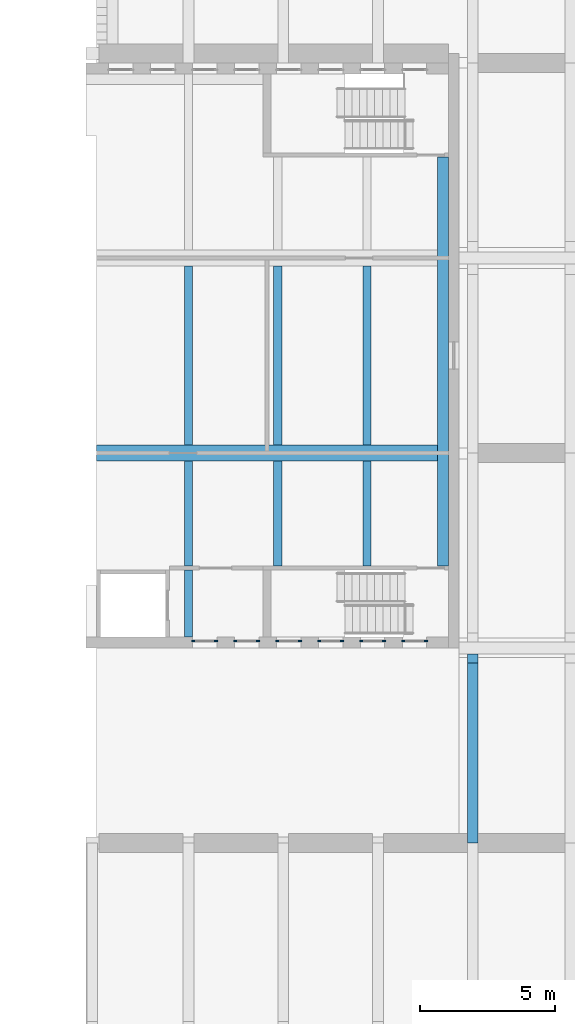
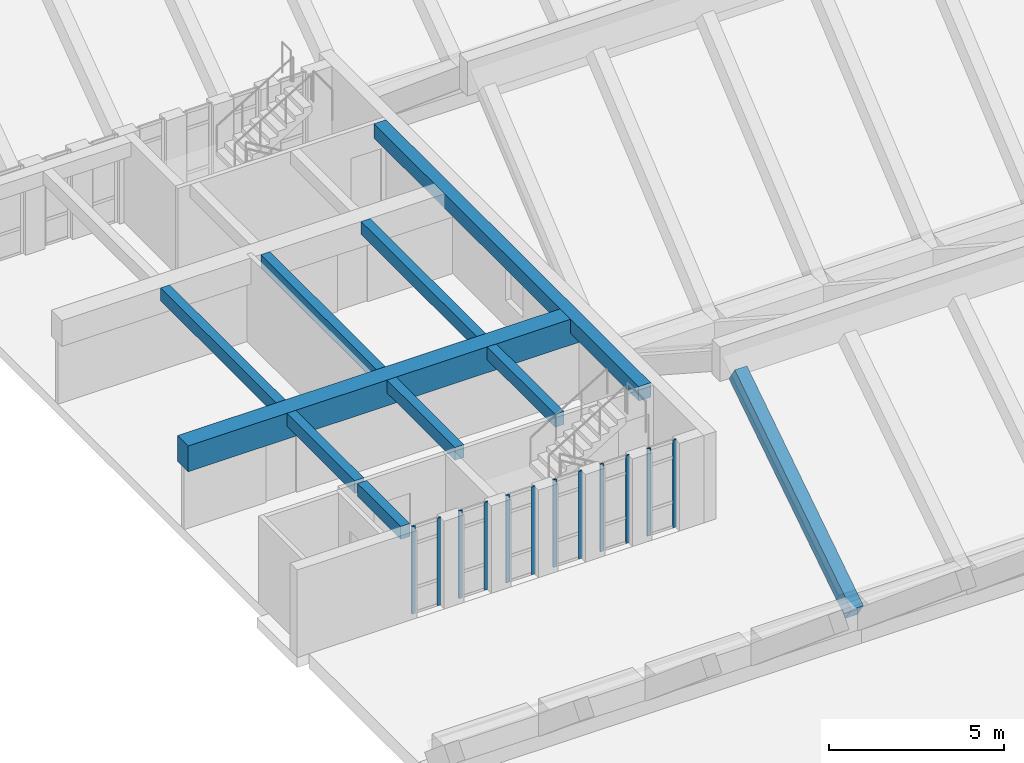
# One storey, part 5 of 31: 12 members, 10 beams, 6 elements without a shape of their own.
"""IFC4 building model written with IfcOpenShell, lengths in metres."""

from ifc_helpers import new_model, si_unit, direction, frame, origin, origin_2d, place, context, subcontext, project, spatial, rectangle, extrude, material, material_profile, profile_set, type_object, element, aggregate, save


model = new_model("IFC4")

# Units and contexts
model_context = context("Model", 3, precision=1e-05, world=origin(), true_north=direction((0.0, 1.0)))
body_context = subcontext(model_context, "Body", "Model", "MODEL_VIEW")
ifc_project = project(units=[si_unit("LENGTHUNIT", "METRE"), si_unit("AREAUNIT", "SQUARE_METRE"), si_unit("VOLUMEUNIT", "CUBIC_METRE"), si_unit("PLANEANGLEUNIT", "RADIAN"), si_unit("MASSUNIT", "GRAM", prefix="KILO")], contexts=[model_context])

# Site, building, storey
site_placement = place(None, origin())
site = spatial("IfcSite", under=ifc_project, at=site_placement, CompositionType="ELEMENT")
building_placement = place(site_placement, origin())
building = spatial("IfcBuilding", under=site, at=building_placement, Name="Vermilion Court Aquatics Centre", CompositionType="ELEMENT")
storey_placement = place(building_placement, frame((0.0, 0.0, 16.5)))
storey = spatial("IfcBuildingStorey", under=building, at=storey_placement, Name="L03", CompositionType="ELEMENT", Elevation=16.5)

# Beams
ifc_material_1 = material(Name="Concrete 8000 psi", Category="concrete")
ifc_material_profile_1 = material_profile(ifc_material_1, rectangle(XDim=0.39990234375, YDim=0.5, at=origin_2d()), Name="RC 400x500")
ifc_profile_set_1 = profile_set([ifc_material_profile_1], Name="Concrete 8000 psi")
beam_type_1 = type_object("IfcBeamType", Name="Diving Tower diaphragm chord beam RC 400x500", PredefinedType="BEAM", material=ifc_profile_set_1)
beam_1_placement = place(storey_placement, frame((157.300048828125, 39.02490234375, 2.800048828125), z_axis=(0.0, 1.0, 0.0), x_axis=(-1.0, 0.0, 0.0)))
element("IfcBeam", 1, at=beam_1_placement, inside=storey, type_object=beam_type_1, Name="Diving Tower diaphragm chord beam E L04", PredefinedType="BEAM", context=body_context, shape_type="SweptSolid", body=[
    extrude(rectangle(XDim=0.39990234375, YDim=0.5, at=origin_2d()), origin(), (0.0, 0.0, 1.0), 15.10009765625),
])
ifc_material_2 = material(Name="Concrete 8000 psi", Category="concrete")
ifc_material_profile_2 = material_profile(ifc_material_2, rectangle(XDim=0.300048828125, YDim=0.449951171875, at=origin_2d()), Name="RC 300x450")
ifc_profile_set_2 = profile_set([ifc_material_profile_2], Name="Concrete 8000 psi")
beam_type_2 = type_object("IfcBeamType", Name="Diving Tower floor joist RC 300x450", PredefinedType="JOIST", material=ifc_profile_set_2)
beam_2_placement = place(storey_placement, frame((147.89990234375, 36.39990234375, 2.824951171875), z_axis=(0.0, 1.0, 0.0), x_axis=(-1.0, 0.0, 0.0)))
element("IfcBeam", 2, at=beam_2_placement, inside=storey, type_object=beam_type_2, Name="Diving Tower floor joist x147.9 1 L04", PredefinedType="JOIST", context=body_context, shape_type="SweptSolid", body=[
    extrude(rectangle(XDim=0.300048828125, YDim=0.449951171875, at=origin_2d()), origin(), (0.0, 0.0, 1.0), 2.47509765625),
])
beam_3_placement = place(storey_placement, frame((147.89990234375, 39.02490234375, 2.824951171875), z_axis=(0.0, 1.0, 0.0), x_axis=(-1.0, 0.0, 0.0)))
element("IfcBeam", 3, at=beam_3_placement, inside=storey, type_object=beam_type_2, Name="Diving Tower floor joist x147.9 2 L04", PredefinedType="JOIST", context=body_context, shape_type="SweptSolid", body=[
    extrude(rectangle(XDim=0.300048828125, YDim=0.449951171875, at=origin_2d()), origin(), (0.0, 0.0, 1.0), 3.875),
])
beam_4_placement = place(storey_placement, frame((147.89990234375, 43.5, 2.824951171875), z_axis=(0.0, 1.0, 0.0), x_axis=(-1.0, 0.0, 0.0)))
element("IfcBeam", 4, at=beam_4_placement, inside=storey, type_object=beam_type_2, Name="Diving Tower floor joist x147.9 3 L04", PredefinedType="JOIST", context=body_context, shape_type="SweptSolid", body=[
    extrude(rectangle(XDim=0.300048828125, YDim=0.449951171875, at=origin_2d()), origin(), (0.0, 0.0, 1.0), 6.60009765625),
])
beam_5_placement = place(storey_placement, frame((151.199951171875, 39.02490234375, 2.824951171875), z_axis=(0.0, 1.0, 0.0), x_axis=(-1.0, 0.0, 0.0)))
element("IfcBeam", 5, at=beam_5_placement, inside=storey, type_object=beam_type_2, Name="Diving Tower floor joist x151.2 1 L04", PredefinedType="JOIST", context=body_context, shape_type="SweptSolid", body=[
    extrude(rectangle(XDim=0.300048828125, YDim=0.449951171875, at=origin_2d()), origin(), (0.0, 0.0, 1.0), 3.875),
])
beam_6_placement = place(storey_placement, frame((151.199951171875, 43.5, 2.824951171875), z_axis=(0.0, 1.0, 0.0), x_axis=(-1.0, 0.0, 0.0)))
element("IfcBeam", 6, at=beam_6_placement, inside=storey, type_object=beam_type_2, Name="Diving Tower floor joist x151.2 2 L04", PredefinedType="JOIST", context=body_context, shape_type="SweptSolid", body=[
    extrude(rectangle(XDim=0.300048828125, YDim=0.449951171875, at=origin_2d()), origin(), (0.0, 0.0, 1.0), 6.60009765625),
])
beam_7_placement = place(storey_placement, frame((154.5, 39.02490234375, 2.824951171875), z_axis=(0.0, 1.0, 0.0), x_axis=(-1.0, 0.0, 0.0)))
element("IfcBeam", 7, at=beam_7_placement, inside=storey, type_object=beam_type_2, Name="Diving Tower floor joist x154.5 1 L04", PredefinedType="JOIST", context=body_context, shape_type="SweptSolid", body=[
    extrude(rectangle(XDim=0.300048828125, YDim=0.449951171875, at=origin_2d()), origin(), (0.0, 0.0, 1.0), 3.875),
])
beam_8_placement = place(storey_placement, frame((154.5, 43.5, 2.824951171875), z_axis=(0.0, 1.0, 0.0), x_axis=(-1.0, 0.0, 0.0)))
element("IfcBeam", 8, at=beam_8_placement, inside=storey, type_object=beam_type_2, Name="Diving Tower floor joist x154.5 2 L04", PredefinedType="JOIST", context=body_context, shape_type="SweptSolid", body=[
    extrude(rectangle(XDim=0.300048828125, YDim=0.449951171875, at=origin_2d()), origin(), (0.0, 0.0, 1.0), 6.60009765625),
])
ifc_material_3 = material(Name="Concrete 8000 psi", Category="concrete")
ifc_material_profile_3 = material_profile(ifc_material_3, rectangle(XDim=0.60009765625, YDim=0.89990234375, at=origin_2d()), Name="RC 600x900")
ifc_profile_set_3 = profile_set([ifc_material_profile_3], Name="Concrete 8000 psi")
beam_type_3 = type_object("IfcBeamType", Name="Diving Tower girder 600x900", PredefinedType="BEAM", material=ifc_profile_set_3)
beam_9_placement = place(storey_placement, frame((144.5, 43.199951171875, 2.60009765625), z_axis=(1.0, 0.0, 0.0), x_axis=(0.0, 1.0, 0.0)))
element("IfcBeam", 9, at=beam_9_placement, inside=storey, type_object=beam_type_3, Name="Diving Tower girder y43.2 L04", PredefinedType="BEAM", context=body_context, shape_type="SweptSolid", body=[
    extrude(rectangle(XDim=0.60009765625, YDim=0.89990234375, at=origin_2d()), origin(), (0.0, 0.0, 1.0), 13.0),
])

# Curtain wall, members
ifc_material_4 = material(Name="Aluminium 6063-T5", Category="aluminium")
curtain_wall_type = type_object("IfcCurtainWallType", Name="Diving Tower slot curtain wall 900 module", PredefinedType="NOTDEFINED", material=ifc_material_4)
curtain_wall_1_placement = place(storey_placement, origin())
curtain_wall_1 = element("IfcCurtainWall", 10, at=curtain_wall_1_placement, inside=storey, type_object=curtain_wall_type, Name="Diving Tower slot window south 1 L03", PredefinedType="NOTDEFINED")
ifc_material_5 = material(Name="Aluminium 6063-T5", Category="aluminium")
ifc_material_profile_4 = material_profile(ifc_material_5, rectangle(XDim=0.050048828125, YDim=0.1201171875, at=origin_2d()), Name="AL 50x120")
ifc_profile_set_4 = profile_set([ifc_material_profile_4], Name="Aluminium 6063-T5")
member_type = type_object("IfcMemberType", Name="Diving Tower slot mullion 50x120", PredefinedType="MULLION", material=ifc_profile_set_4)
member_1_placement = place(storey_placement, frame((148.080078125, 36.25, 0.0), z_axis=(0.0, 0.0, 1.0), x_axis=(0.0, 1.0, 0.0)))
member_1 = element("IfcMember", 11, at=member_1_placement, type_object=member_type, Name="UCW3 mullion 1", PredefinedType="MULLION", context=body_context, shape_type="SweptSolid", body=[
    extrude(rectangle(XDim=0.050048828125, YDim=0.1201171875, at=origin_2d()), origin(), (0.0, 0.0, 1.0), 3.050048828125),
])
member_2_placement = place(storey_placement, frame((148.919921875, 36.25, 0.0), z_axis=(0.0, 0.0, 1.0), x_axis=(0.0, 1.0, 0.0)))
member_2 = element("IfcMember", 12, at=member_2_placement, type_object=member_type, Name="UCW3 mullion 2", PredefinedType="MULLION", context=body_context, shape_type="SweptSolid", body=[
    extrude(rectangle(XDim=0.050048828125, YDim=0.1201171875, at=origin_2d()), origin(), (0.0, 0.0, 1.0), 3.050048828125),
])
aggregate(curtain_wall_1, [member_1, member_2])

curtain_wall_2_placement = place(storey_placement, origin())
curtain_wall_2 = element("IfcCurtainWall", 13, at=curtain_wall_2_placement, inside=storey, type_object=curtain_wall_type, Name="Diving Tower slot window south 2 L03", PredefinedType="NOTDEFINED")
member_3_placement = place(storey_placement, frame((149.6298828125, 36.25, 0.0), z_axis=(0.0, 0.0, 1.0), x_axis=(0.0, 1.0, 0.0)))
member_3 = element("IfcMember", 14, at=member_3_placement, type_object=member_type, Name="UCW3 mullion 1", PredefinedType="MULLION", context=body_context, shape_type="SweptSolid", body=[
    extrude(rectangle(XDim=0.050048828125, YDim=0.1201171875, at=origin_2d()), origin(), (0.0, 0.0, 1.0), 3.050048828125),
])
member_4_placement = place(storey_placement, frame((150.469970703125, 36.25, 0.0), z_axis=(0.0, 0.0, 1.0), x_axis=(0.0, 1.0, 0.0)))
member_4 = element("IfcMember", 15, at=member_4_placement, type_object=member_type, Name="UCW3 mullion 2", PredefinedType="MULLION", context=body_context, shape_type="SweptSolid", body=[
    extrude(rectangle(XDim=0.050048828125, YDim=0.1201171875, at=origin_2d()), origin(), (0.0, 0.0, 1.0), 3.050048828125),
])
aggregate(curtain_wall_2, [member_3, member_4])

curtain_wall_3_placement = place(storey_placement, origin())
curtain_wall_3 = element("IfcCurtainWall", 16, at=curtain_wall_3_placement, inside=storey, type_object=curtain_wall_type, Name="Diving Tower slot window south 3 L03", PredefinedType="NOTDEFINED")
member_5_placement = place(storey_placement, frame((151.179931640625, 36.25, 0.0), z_axis=(0.0, 0.0, 1.0), x_axis=(0.0, 1.0, 0.0)))
member_5 = element("IfcMember", 17, at=member_5_placement, type_object=member_type, Name="UCW3 mullion 1", PredefinedType="MULLION", context=body_context, shape_type="SweptSolid", body=[
    extrude(rectangle(XDim=0.050048828125, YDim=0.1201171875, at=origin_2d()), origin(), (0.0, 0.0, 1.0), 3.050048828125),
])
member_6_placement = place(storey_placement, frame((152.02001953125, 36.25, 0.0), z_axis=(0.0, 0.0, 1.0), x_axis=(0.0, 1.0, 0.0)))
member_6 = element("IfcMember", 18, at=member_6_placement, type_object=member_type, Name="UCW3 mullion 2", PredefinedType="MULLION", context=body_context, shape_type="SweptSolid", body=[
    extrude(rectangle(XDim=0.050048828125, YDim=0.1201171875, at=origin_2d()), origin(), (0.0, 0.0, 1.0), 3.050048828125),
])
aggregate(curtain_wall_3, [member_5, member_6])

curtain_wall_4_placement = place(storey_placement, origin())
curtain_wall_4 = element("IfcCurtainWall", 19, at=curtain_wall_4_placement, inside=storey, type_object=curtain_wall_type, Name="Diving Tower slot window south 4 L03", PredefinedType="NOTDEFINED")
member_7_placement = place(storey_placement, frame((152.72998046875, 36.25, 0.0), z_axis=(0.0, 0.0, 1.0), x_axis=(0.0, 1.0, 0.0)))
member_7 = element("IfcMember", 20, at=member_7_placement, type_object=member_type, Name="UCW3 mullion 1", PredefinedType="MULLION", context=body_context, shape_type="SweptSolid", body=[
    extrude(rectangle(XDim=0.050048828125, YDim=0.1201171875, at=origin_2d()), origin(), (0.0, 0.0, 1.0), 3.050048828125),
])
member_8_placement = place(storey_placement, frame((153.570068359375, 36.25, 0.0), z_axis=(0.0, 0.0, 1.0), x_axis=(0.0, 1.0, 0.0)))
member_8 = element("IfcMember", 21, at=member_8_placement, type_object=member_type, Name="UCW3 mullion 2", PredefinedType="MULLION", context=body_context, shape_type="SweptSolid", body=[
    extrude(rectangle(XDim=0.050048828125, YDim=0.1201171875, at=origin_2d()), origin(), (0.0, 0.0, 1.0), 3.050048828125),
])
aggregate(curtain_wall_4, [member_7, member_8])

curtain_wall_5_placement = place(storey_placement, origin())
curtain_wall_5 = element("IfcCurtainWall", 22, at=curtain_wall_5_placement, inside=storey, type_object=curtain_wall_type, Name="Diving Tower slot window south 5 L03", PredefinedType="NOTDEFINED")
member_9_placement = place(storey_placement, frame((154.280029296875, 36.25, 0.0), z_axis=(0.0, 0.0, 1.0), x_axis=(0.0, 1.0, 0.0)))
member_9 = element("IfcMember", 23, at=member_9_placement, type_object=member_type, Name="UCW3 mullion 1", PredefinedType="MULLION", context=body_context, shape_type="SweptSolid", body=[
    extrude(rectangle(XDim=0.050048828125, YDim=0.1201171875, at=origin_2d()), origin(), (0.0, 0.0, 1.0), 3.050048828125),
])
member_10_placement = place(storey_placement, frame((155.1201171875, 36.25, 0.0), z_axis=(0.0, 0.0, 1.0), x_axis=(0.0, 1.0, 0.0)))
member_10 = element("IfcMember", 24, at=member_10_placement, type_object=member_type, Name="UCW3 mullion 2", PredefinedType="MULLION", context=body_context, shape_type="SweptSolid", body=[
    extrude(rectangle(XDim=0.050048828125, YDim=0.1201171875, at=origin_2d()), origin(), (0.0, 0.0, 1.0), 3.050048828125),
])
aggregate(curtain_wall_5, [member_9, member_10])

curtain_wall_6_placement = place(storey_placement, origin())
curtain_wall_6 = element("IfcCurtainWall", 25, at=curtain_wall_6_placement, inside=storey, type_object=curtain_wall_type, Name="Diving Tower slot window south 6 L03", PredefinedType="NOTDEFINED")
member_11_placement = place(storey_placement, frame((155.830078125, 36.25, 0.0), z_axis=(0.0, 0.0, 1.0), x_axis=(0.0, 1.0, 0.0)))
member_11 = element("IfcMember", 26, at=member_11_placement, type_object=member_type, Name="UCW3 mullion 1", PredefinedType="MULLION", context=body_context, shape_type="SweptSolid", body=[
    extrude(rectangle(XDim=0.050048828125, YDim=0.1201171875, at=origin_2d()), origin(), (0.0, 0.0, 1.0), 3.050048828125),
])
member_12_placement = place(storey_placement, frame((156.669921875, 36.25, 0.0), z_axis=(0.0, 0.0, 1.0), x_axis=(0.0, 1.0, 0.0)))
member_12 = element("IfcMember", 27, at=member_12_placement, type_object=member_type, Name="UCW3 mullion 2", PredefinedType="MULLION", context=body_context, shape_type="SweptSolid", body=[
    extrude(rectangle(XDim=0.050048828125, YDim=0.1201171875, at=origin_2d()), origin(), (0.0, 0.0, 1.0), 3.050048828125),
])
aggregate(curtain_wall_6, [member_11, member_12])

# Beam
ifc_material_6 = material(Name="Concrete 5000 psi", Category="concrete")
ifc_material_profile_5 = material_profile(ifc_material_6, rectangle(XDim=0.39990234375, YDim=0.60009765625, at=origin_2d()), Name="RC 400x600")
ifc_profile_set_5 = profile_set([ifc_material_profile_5], Name="Concrete 5000 psi")
beam_type_4 = type_object("IfcBeamType", Name="Podium roof rafter RC 400x600", PredefinedType="BEAM", material=ifc_profile_set_5)
beam_10_placement = place(storey_placement, frame((158.39990234375, 28.9638671875, 0.8515625), z_axis=(0.0, 0.83866661958, 0.544645114916), x_axis=(-1.0, 0.0, 0.0)))
element("IfcBeam", 28, at=beam_10_placement, inside=storey, type_object=beam_type_4, Name="Roof rafter", PredefinedType="BEAM", context=body_context, shape_type="SweptSolid", body=[
    extrude(rectangle(XDim=0.39990234375, YDim=0.60009765625, at=origin_2d()), origin(), (0.0, 0.0, 1.0), 7.926513671875),
])

save(model, "model.ifc")
